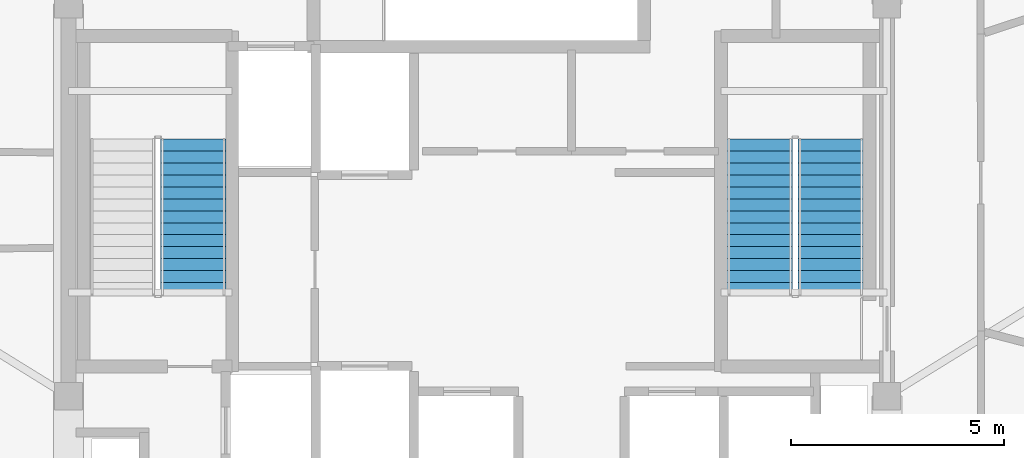
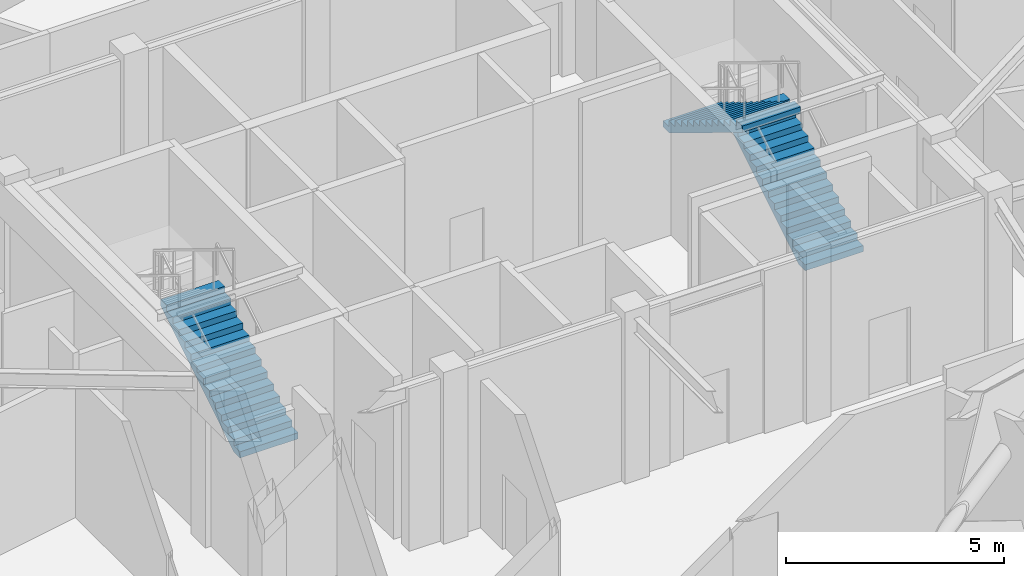
# One storey, part 7 of 11: 3 stair flights, 2 elements without a shape of their own.
"""IFC4 building model written with IfcOpenShell, lengths in metres."""

from ifc_helpers import new_model, si_unit, direction, frame, origin, place, context, subcontext, project, spatial, polyline, outline, extrude, material, type_object, element, aggregate, save


model = new_model("IFC4")

# Units and contexts
model_context = context("Model", 3, precision=1e-05, world=origin(), true_north=direction((0.0, 1.0)))
body_context = subcontext(model_context, "Body", "Model", "MODEL_VIEW")
ifc_project = project(units=[si_unit("LENGTHUNIT", "METRE"), si_unit("AREAUNIT", "SQUARE_METRE"), si_unit("VOLUMEUNIT", "CUBIC_METRE"), si_unit("PLANEANGLEUNIT", "RADIAN"), si_unit("MASSUNIT", "GRAM", prefix="KILO")], contexts=[model_context])

# Site, building, storey
site_placement = place(None, origin())
site = spatial("IfcSite", under=ifc_project, at=site_placement, CompositionType="ELEMENT")
building_placement = place(site_placement, origin())
building = spatial("IfcBuilding", under=site, at=building_placement, Name="Vantalir Tower", CompositionType="ELEMENT")
storey_placement = place(building_placement, frame((0.0, 0.0, 299.699951171875)))
storey = spatial("IfcBuildingStorey", under=building, at=storey_placement, Name="L75", CompositionType="ELEMENT", Elevation=299.699951171875)

# Stair, stair flight
ifc_material = material(Name="Concrete C40/50", Category="concrete")
stair_type = type_object("IfcStairType", Name="STR-CORE-1450", PredefinedType="HALF_TURN_STAIR", material=ifc_material)
stair_1_placement = place(storey_placement, origin())
stair_1 = element("IfcStair", 1, at=stair_1_placement, inside=storey, type_object=stair_type, Name="L75 Core Exit Stair 1", PredefinedType="HALF_TURN_STAIR")
stair_flight_type = type_object("IfcStairFlightType", Name="FLT-CORE-1450", PredefinedType="STRAIGHT", material=ifc_material)
stair_flight_1_placement = place(storey_placement, frame((24.830078125, 22.7900390625, 0.0), z_axis=(0.0, 0.0, 1.0), x_axis=(0.0, 1.0, 0.0)))
stair_flight_1 = element("IfcStairFlight", 2, at=stair_flight_1_placement, type_object=stair_flight_type, Name="ST1 flight 1", NumberOfRisers=14, NumberOfTreads=13, PredefinedType="STRAIGHT", RiserHeight=0.171428571, TreadLength=0.28, context=body_context, shape_type="SweptSolid", body=[
    extrude(outline(polyline([(0.0, 0.0), (0.0, 0.17138671875), (0.280029296875, 0.17138671875), (0.280029296875, 0.3427734375), (0.56005859375, 0.3427734375), (0.56005859375, 0.514404296875), (0.840087890625, 0.514404296875), (0.840087890625, 0.685791015625), (1.1201171875, 0.685791015625), (1.1201171875, 0.857177734375), (1.39990234375, 0.857177734375), (1.39990234375, 1.028564453125), (1.679931640625, 1.028564453125), (1.679931640625, 1.199951171875), (1.9599609375, 1.199951171875), (1.9599609375, 1.371337890625), (2.239990234375, 1.371337890625), (2.239990234375, 1.54296875), (2.52001953125, 1.54296875), (2.52001953125, 1.71435546875), (2.800048828125, 1.71435546875), (2.800048828125, 1.8857421875), (3.080078125, 1.8857421875), (3.080078125, 2.05712890625), (3.360107421875, 2.05712890625), (3.360107421875, 2.228515625), (3.639892578125, 2.228515625), (3.639892578125, 2.39990234375), (3.639892578125, 2.052734375), (0.287109375, 0.0), (0.0, 0.0)])), frame((0.0, 0.77001953125, 0.0), z_axis=(0.0, -1.0, 0.0), x_axis=(1.0, 0.0, 0.0)), (0.0, 0.0, 1.0), 1.5400390625),
])
aggregate(stair_1, [stair_flight_1])

# Stair, stair flights
stair_2_placement = place(storey_placement, origin())
stair_2 = element("IfcStair", 3, at=stair_2_placement, inside=storey, type_object=stair_type, Name="L75 Core Exit Stair 2", PredefinedType="HALF_TURN_STAIR")
stair_flight_2_placement = place(storey_placement, frame((39.780029296875, 22.7900390625, 0.0), z_axis=(0.0, 0.0, 1.0), x_axis=(0.0, 1.0, 0.0)))
stair_flight_2 = element("IfcStairFlight", 4, at=stair_flight_2_placement, type_object=stair_flight_type, Name="ST2 flight 1", NumberOfRisers=14, NumberOfTreads=13, PredefinedType="STRAIGHT", RiserHeight=0.171428571, TreadLength=0.28, context=body_context, shape_type="SweptSolid", body=[
    extrude(outline(polyline([(0.0, 0.0), (0.0, 0.17138671875), (0.280029296875, 0.17138671875), (0.280029296875, 0.3427734375), (0.56005859375, 0.3427734375), (0.56005859375, 0.514404296875), (0.840087890625, 0.514404296875), (0.840087890625, 0.685791015625), (1.1201171875, 0.685791015625), (1.1201171875, 0.857177734375), (1.39990234375, 0.857177734375), (1.39990234375, 1.028564453125), (1.679931640625, 1.028564453125), (1.679931640625, 1.199951171875), (1.9599609375, 1.199951171875), (1.9599609375, 1.371337890625), (2.239990234375, 1.371337890625), (2.239990234375, 1.54296875), (2.52001953125, 1.54296875), (2.52001953125, 1.71435546875), (2.800048828125, 1.71435546875), (2.800048828125, 1.8857421875), (3.080078125, 1.8857421875), (3.080078125, 2.05712890625), (3.360107421875, 2.05712890625), (3.360107421875, 2.228515625), (3.639892578125, 2.228515625), (3.639892578125, 2.39990234375), (3.639892578125, 2.052734375), (0.287109375, 0.0), (0.0, 0.0)])), frame((0.0, 0.77001953125, 0.0), z_axis=(0.0, -1.0, 0.0), x_axis=(1.0, 0.0, 0.0)), (0.0, 0.0, 1.0), 1.5400390625),
])
stair_flight_3_placement = place(storey_placement, frame((38.1201171875, 26.429931640625, 2.400146484375), z_axis=(0.0, 0.0, 1.0), x_axis=(0.0, -1.0, 0.0)))
stair_flight_3 = element("IfcStairFlight", 5, at=stair_flight_3_placement, type_object=stair_flight_type, Name="ST2 flight 2", NumberOfRisers=14, NumberOfTreads=13, PredefinedType="STRAIGHT", RiserHeight=0.171428571, TreadLength=0.28, context=body_context, shape_type="SweptSolid", body=[
    extrude(outline(polyline([(0.0, 0.0), (0.0, 0.17138671875), (0.280029296875, 0.17138671875), (0.280029296875, 0.3427734375), (0.56005859375, 0.3427734375), (0.56005859375, 0.514404296875), (0.840087890625, 0.514404296875), (0.840087890625, 0.685791015625), (1.1201171875, 0.685791015625), (1.1201171875, 0.857177734375), (1.39990234375, 0.857177734375), (1.39990234375, 1.028564453125), (1.679931640625, 1.028564453125), (1.679931640625, 1.199951171875), (1.9599609375, 1.199951171875), (1.9599609375, 1.371337890625), (2.239990234375, 1.371337890625), (2.239990234375, 1.54296875), (2.52001953125, 1.54296875), (2.52001953125, 1.71435546875), (2.800048828125, 1.71435546875), (2.800048828125, 1.8857421875), (3.080078125, 1.8857421875), (3.080078125, 2.05712890625), (3.360107421875, 2.05712890625), (3.360107421875, 2.228515625), (3.639892578125, 2.228515625), (3.639892578125, 2.39990234375), (3.639892578125, 2.052734375), (0.287109375, 0.0), (0.0, 0.0)])), frame((0.0, 0.77001953125, 0.0), z_axis=(0.0, -1.0, 0.0), x_axis=(1.0, 0.0, 0.0)), (0.0, 0.0, 1.0), 1.5400390625),
])
aggregate(stair_2, [stair_flight_2, stair_flight_3])

save(model, "model.ifc")
